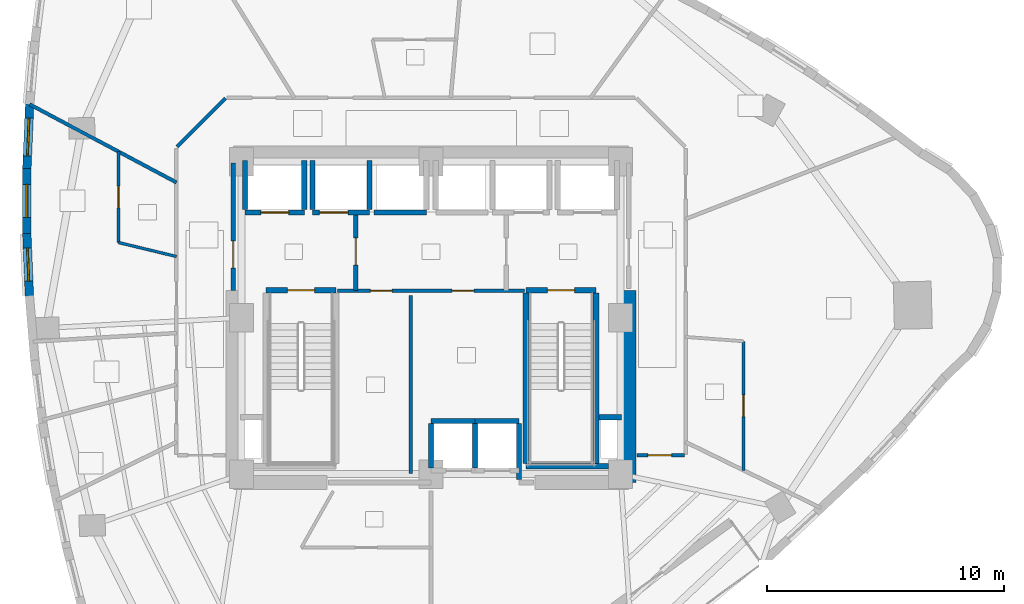
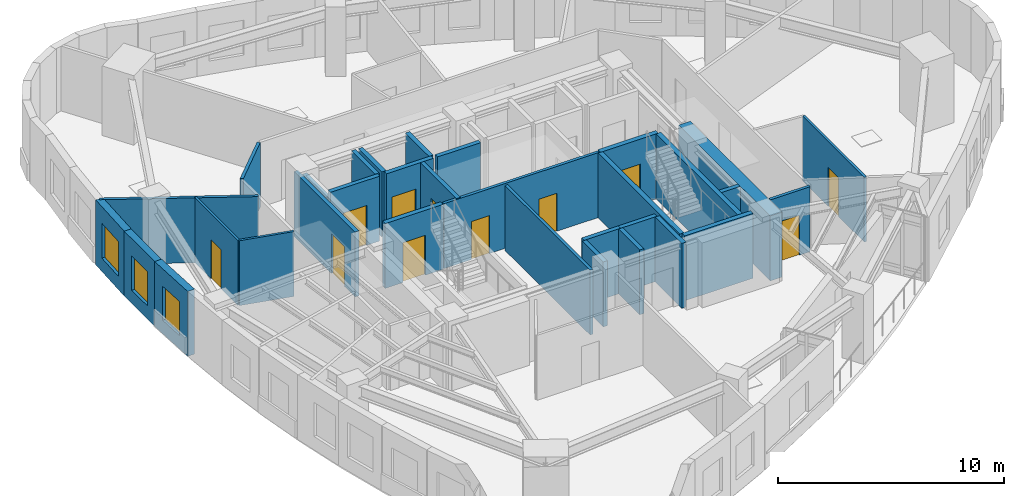
# One storey, part 6 of 11: 32 walls, 11 doors, 3 windows, 14 openings.
"""IFC4 building model written with IfcOpenShell, lengths in metres."""

from ifc_helpers import new_model, si_unit, direction, frame, frame_2d, origin, place, context, subcontext, project, spatial, rectangle, extrude, material, layer, layer_set, type_object, element, fill, save


model = new_model("IFC4")

# Units and contexts
model_context = context("Model", 3, precision=1e-05, world=origin(), true_north=direction((0.0, 1.0)))
body_context = subcontext(model_context, "Body", "Model", "MODEL_VIEW")
ifc_project = project(units=[si_unit("LENGTHUNIT", "METRE"), si_unit("AREAUNIT", "SQUARE_METRE"), si_unit("VOLUMEUNIT", "CUBIC_METRE"), si_unit("PLANEANGLEUNIT", "RADIAN"), si_unit("MASSUNIT", "GRAM", prefix="KILO")], contexts=[model_context])

# Site, building, storey
site_placement = place(None, origin())
site = spatial("IfcSite", under=ifc_project, at=site_placement, CompositionType="ELEMENT")
building_placement = place(site_placement, origin())
building = spatial("IfcBuilding", under=site, at=building_placement, Name="Ndelora Gate Hotel", CompositionType="ELEMENT")
storey_placement = place(building_placement, frame((0.0, 0.0, 146.0)))
storey = spatial("IfcBuildingStorey", under=building, at=storey_placement, Name="L36", CompositionType="ELEMENT", Elevation=146.0)

# Wall, opening, window
ifc_material_1 = material(Name="Clay Brick Masonry", Category="masonry")
ifc_layer_1 = layer(ifc_material_1, 0.360107421875)
ifc_layer_set_1 = layer_set([ifc_layer_1], Name="Clay Brick Masonry")
wall_type_1 = type_object("IfcWallType", Name="WL-BRICK-360", PredefinedType="SOLIDWALL", material=ifc_layer_set_1)
wall_1_placement = place(storey_placement, frame((-17.069580078125, 6.26220703125, 0.0), z_axis=(0.0, 0.0, 1.0), x_axis=(0.043014721574, 0.999074438532, 0.0)))
wall_1 = element("IfcWall", 1, at=wall_1_placement, inside=storey, type_object=wall_type_1, Name="L36 Tower Brick Pier-and-Spandrel Wall TWR-11", PredefinedType="SOLIDWALL", context=body_context, shape_type="SweptSolid", body=[
    extrude(rectangle(XDim=2.75830078125, YDim=0.360107421875, at=frame_2d((1.379150390625, 0.0))), origin(), (0.0, 0.0, 1.0), 3.5),
])
opening_1_placement = place(wall_1_placement, frame((0.5791015625, 0.0, 0.719970703125)))
opening_1 = element("IfcOpeningElement", 2, at=opening_1_placement, cuts=wall_1, Name="Opening W01", PredefinedType="OPENING", context=body_context, shape_type="SweptSolid", body=[
    extrude(rectangle(XDim=1.60009765625, YDim=1.8798828125, at=frame_2d((0.800048828125, 0.93994140625))), frame((0.0, 0.18994140625, 0.0), z_axis=(0.0, -1.0, 0.0), x_axis=(1.0, 0.0, 0.0)), (0.0, 0.0, 1.0), 0.380126953125),
])
ifc_material_2 = material(Name="Insulated Low-E Double Glazing in Bronze Aluminium Frame", Category="aluminium")
window_type_1 = type_object("IfcWindowType", Name="WN-DEEP-1600", PartitioningType="SINGLE_PANEL", PredefinedType="WINDOW", material=ifc_material_2)
window_1_placement = place(opening_1_placement, origin())
window_1 = element("IfcWindow", 3, at=window_1_placement, inside=storey, type_object=window_type_1, Name="L36 Deep-Set Brick-Pier Window W01", OverallHeight=1.8798828125, OverallWidth=1.60009765625, PartitioningType="SINGLE_PANEL", PredefinedType="WINDOW", context=body_context, shape_type="SweptSolid", body=[
    extrude(rectangle(XDim=1.60009765625, YDim=1.8798828125, at=frame_2d((0.800048828125, 0.93994140625))), frame((0.0, 0.030029296875, 0.0), z_axis=(0.0, -1.0, 0.0), x_axis=(1.0, 0.0, 0.0)), (0.0, 0.0, 1.0), 0.06005859375),
])
fill(opening_1, window_1)

wall_2_placement = place(storey_placement, frame((-17.071533203125, 3.568115234375, 0.0), z_axis=(0.0, 0.0, 1.0), x_axis=(0.001156582856, 0.999999331158, 0.0)))
wall_2 = element("IfcWall", 4, at=wall_2_placement, inside=storey, type_object=wall_type_1, Name="L36 Tower Brick Pier-and-Spandrel Wall TWR-12", PredefinedType="SOLIDWALL", context=body_context, shape_type="SweptSolid", body=[
    extrude(rectangle(XDim=2.744140625, YDim=0.360107421875, at=frame_2d((1.3720703125, 0.0))), origin(), (0.0, 0.0, 1.0), 3.5),
])
opening_2_placement = place(wall_2_placement, frame((0.672119140625, 0.0, 0.719970703125)))
opening_2 = element("IfcOpeningElement", 5, at=opening_2_placement, cuts=wall_2, Name="Opening W02", PredefinedType="OPENING", context=body_context, shape_type="SweptSolid", body=[
    extrude(rectangle(XDim=1.39990234375, YDim=1.840087890625, at=frame_2d((0.699951171875, 0.919921875))), frame((0.0, 0.18994140625, 0.0), z_axis=(0.0, -1.0, 0.0), x_axis=(1.0, 0.0, 0.0)), (0.0, 0.0, 1.0), 0.380126953125),
])
window_type_2 = type_object("IfcWindowType", Name="WN-DEEP-1400", PartitioningType="SINGLE_PANEL", PredefinedType="WINDOW", material=ifc_material_2)
window_2_placement = place(opening_2_placement, origin())
window_2 = element("IfcWindow", 6, at=window_2_placement, inside=storey, type_object=window_type_2, Name="L36 Deep-Set Brick-Pier Window W02", OverallHeight=1.840087890625, OverallWidth=1.39990234375, PartitioningType="SINGLE_PANEL", PredefinedType="WINDOW", context=body_context, shape_type="SweptSolid", body=[
    extrude(rectangle(XDim=1.39990234375, YDim=1.840087890625, at=frame_2d((0.699951171875, 0.919921875))), frame((0.0, 0.030029296875, 0.0), z_axis=(0.0, -1.0, 0.0), x_axis=(1.0, 0.0, 0.0)), (0.0, 0.0, 1.0), 0.06005859375),
])
fill(opening_2, window_2)

wall_3_placement = place(storey_placement, frame((-16.96044921875, 0.885986328125, 0.0), z_axis=(0.0, 0.0, 1.0), x_axis=(-0.040980646294, 0.999159940465, 0.0)))
wall_3 = element("IfcWall", 7, at=wall_3_placement, inside=storey, type_object=wall_type_1, Name="L36 Tower Brick Pier-and-Spandrel Wall TWR-13", PredefinedType="SOLIDWALL", context=body_context, shape_type="SweptSolid", body=[
    extrude(rectangle(XDim=2.734375, YDim=0.360107421875, at=frame_2d((1.3671875, 0.0))), origin(), (0.0, 0.0, 1.0), 3.5),
])
opening_3_placement = place(wall_3_placement, frame((0.667236328125, 0.0, 0.719970703125)))
opening_3 = element("IfcOpeningElement", 8, at=opening_3_placement, cuts=wall_3, Name="Opening W02", PredefinedType="OPENING", context=body_context, shape_type="SweptSolid", body=[
    extrude(rectangle(XDim=1.39990234375, YDim=1.840087890625, at=frame_2d((0.699951171875, 0.919921875))), frame((0.0, 0.18994140625, 0.0), z_axis=(0.0, -1.0, 0.0), x_axis=(1.0, 0.0, 0.0)), (0.0, 0.0, 1.0), 0.380126953125),
])
window_3_placement = place(opening_3_placement, origin())
window_3 = element("IfcWindow", 9, at=window_3_placement, inside=storey, type_object=window_type_2, Name="L36 Deep-Set Brick-Pier Window W02", OverallHeight=1.840087890625, OverallWidth=1.39990234375, PartitioningType="SINGLE_PANEL", PredefinedType="WINDOW", context=body_context, shape_type="SweptSolid", body=[
    extrude(rectangle(XDim=1.39990234375, YDim=1.840087890625, at=frame_2d((0.699951171875, 0.919921875))), frame((0.0, 0.030029296875, 0.0), z_axis=(0.0, -1.0, 0.0), x_axis=(1.0, 0.0, 0.0)), (0.0, 0.0, 1.0), 0.06005859375),
])
fill(opening_3, window_3)

# Wall
ifc_material_3 = material(Name="Concrete C60/75", Category="concrete")
ifc_layer_2 = layer(ifc_material_3, 0.60009765625)
ifc_layer_set_2 = layer_set([ifc_layer_2], Name="Concrete C60/75")
wall_type_2 = type_object("IfcWallType", Name="WL-CORE-600", PredefinedType="SHEAR", material=ifc_layer_set_2)
wall_4_placement = place(storey_placement, frame((8.35009765625, -6.949951171875, 0.0), z_axis=(0.0, 0.0, 1.0), x_axis=(0.0, 1.0, 0.0)))
element("IfcWall", 10, at=wall_4_placement, inside=storey, type_object=wall_type_2, Name="L36 Core Shear Wall E", PredefinedType="SHEAR", context=body_context, shape_type="SweptSolid", body=[
    extrude(rectangle(XDim=8.099853515625, YDim=0.60009765625, at=frame_2d((4.0498046875, 0.0))), origin(), (0.0, 0.0, 1.0), 3.5),
])

# Wall, opening, door
ifc_material_4 = material(Name="Concrete C40/50", Category="concrete")
ifc_layer_3 = layer(ifc_material_4, 0.199951171875)
ifc_layer_set_3 = layer_set([ifc_layer_3], Name="Concrete C40/50")
wall_type_3 = type_object("IfcWallType", Name="WL-FIRE-200", PredefinedType="PARTITIONING", material=ifc_layer_set_3)
wall_5_placement = place(storey_placement, frame((-3.179931640625, 1.14990234375, 0.0), z_axis=(0.0, 0.0, 1.0), x_axis=(0.0, 1.0, 0.0)))
wall_5 = element("IfcWall", 11, at=wall_5_placement, inside=storey, type_object=wall_type_3, Name="L36 Interior Wall IW-2", PredefinedType="PARTITIONING", context=body_context, shape_type="SweptSolid", body=[
    extrude(rectangle(XDim=3.300048828125, YDim=0.199951171875, at=frame_2d((1.64990234375, 0.0))), origin(), (0.0, 0.0, 1.0), 3.5),
])
opening_4_placement = place(wall_5_placement, frame((1.080078125, 0.0, 0.0)))
opening_4 = element("IfcOpeningElement", 12, at=opening_4_placement, cuts=wall_5, Name="Opening FD1", PredefinedType="OPENING", context=body_context, shape_type="SweptSolid", body=[
    extrude(rectangle(XDim=1.14990234375, YDim=2.14990234375, at=frame_2d((0.574951171875, 1.074951171875))), frame((0.0, 0.10986328125, 0.0), z_axis=(0.0, -1.0, 0.0), x_axis=(1.0, 0.0, 0.0)), (0.0, 0.0, 1.0), 0.219970703125),
])
ifc_material_5 = material(Name="Fire-Rated Timber-Veneer Steel Core", Category="steel")
door_type_1 = type_object("IfcDoorType", Name="DR-FD60", OperationType="SINGLE_SWING_LEFT", PredefinedType="DOOR", material=ifc_material_5)
door_1_placement = place(opening_4_placement, origin())
door_1 = element("IfcDoor", 13, at=door_1_placement, inside=storey, type_object=door_type_1, Name="L36 Firefighting Lobby West Door", OperationType="SINGLE_SWING_RIGHT", OverallHeight=2.14990234375, OverallWidth=1.14990234375, PredefinedType="DOOR", context=body_context, shape_type="SweptSolid", body=[
    extrude(rectangle(XDim=1.14990234375, YDim=2.14990234375, at=frame_2d((0.574951171875, 1.074951171875))), frame((0.0, 0.02490234375, 0.0), z_axis=(0.0, -1.0, 0.0), x_axis=(1.0, 0.0, 0.0)), (0.0, 0.0, 1.0), 0.050048828125),
])
fill(opening_4, door_1)

wall_6_placement = place(storey_placement, frame((-8.35009765625, 1.14990234375, 0.0), z_axis=(0.0, 0.0, 1.0), x_axis=(0.0, 1.0, 0.0)))
wall_6 = element("IfcWall", 14, at=wall_6_placement, inside=storey, type_object=wall_type_3, Name="L36 Interior Wall IW-2", PredefinedType="PARTITIONING", context=body_context, shape_type="SweptSolid", body=[
    extrude(rectangle(XDim=5.400146484375, YDim=0.199951171875, at=frame_2d((2.7001953125, 0.0))), origin(), (0.0, 0.0, 1.0), 3.5),
])
opening_5_placement = place(wall_6_placement, frame((0.949951171875, 0.0, 0.0)))
opening_5 = element("IfcOpeningElement", 15, at=opening_5_placement, cuts=wall_6, Name="Opening FD1", PredefinedType="OPENING", context=body_context, shape_type="SweptSolid", body=[
    extrude(rectangle(XDim=1.14990234375, YDim=2.14990234375, at=frame_2d((0.574951171875, 1.074951171875))), frame((0.0, 0.10986328125, 0.0), z_axis=(0.0, -1.0, 0.0), x_axis=(1.0, 0.0, 0.0)), (0.0, 0.0, 1.0), 0.219970703125),
])
door_2_placement = place(opening_5_placement, origin())
door_2 = element("IfcDoor", 16, at=door_2_placement, inside=storey, type_object=door_type_1, Name="L36 Firefighting Lobby West Corridor Door", OperationType="SINGLE_SWING_LEFT", OverallHeight=2.14990234375, OverallWidth=1.14990234375, PredefinedType="DOOR", context=body_context, shape_type="SweptSolid", body=[
    extrude(rectangle(XDim=1.14990234375, YDim=2.14990234375, at=frame_2d((0.574951171875, 1.074951171875))), frame((0.0, 0.02490234375, 0.0), z_axis=(0.0, -1.0, 0.0), x_axis=(1.0, 0.0, 0.0)), (0.0, 0.0, 1.0), 0.050048828125),
])
fill(opening_5, door_2)

# Wall, openings, doors
ifc_material_6 = material(Name="Fire-Rated Gypsum Stud Partition", Category="gypsum")
ifc_layer_4 = layer(ifc_material_6, 0.14990234375)
ifc_layer_set_4 = layer_set([ifc_layer_4], Name="Fire-Rated Gypsum Stud Partition")
wall_type_4 = type_object("IfcWallType", Name="WL-PART-150", PredefinedType="PARTITIONING", material=ifc_layer_set_4)
wall_7_placement = place(storey_placement, frame((3.949951171875, 1.14990234375, 0.0), z_axis=(0.0, 0.0, 1.0), x_axis=(-1.0, 0.0, 0.0)))
wall_7 = element("IfcWall", 17, at=wall_7_placement, inside=storey, type_object=wall_type_4, Name="L36 Interior Wall IW-5", PredefinedType="PARTITIONING", context=body_context, shape_type="SweptSolid", body=[
    extrude(rectangle(XDim=7.89990234375, YDim=0.14990234375, at=frame_2d((3.949951171875, 0.0))), origin(), (0.0, 0.0, 1.0), 3.5),
])
opening_6_placement = place(wall_7_placement, frame((5.590087890625, 0.0, 0.0)))
opening_6 = element("IfcOpeningElement", 18, at=opening_6_placement, cuts=wall_7, Name="Opening D04", PredefinedType="OPENING", context=body_context, shape_type="SweptSolid", body=[
    extrude(rectangle(XDim=0.919921875, YDim=2.050048828125, at=frame_2d((0.4599609375, 1.02490234375))), frame((0.0, 0.0849609375, 0.0), z_axis=(0.0, -1.0, 0.0), x_axis=(1.0, 0.0, 0.0)), (0.0, 0.0, 1.0), 0.169921875),
])
opening_7_placement = place(wall_7_placement, frame((2.139892578125, 0.0, 0.0)))
opening_7 = element("IfcOpeningElement", 19, at=opening_7_placement, cuts=wall_7, Name="Opening D04", PredefinedType="OPENING", context=body_context, shape_type="SweptSolid", body=[
    extrude(rectangle(XDim=0.919921875, YDim=2.050048828125, at=frame_2d((0.4599609375, 1.02490234375))), frame((0.0, 0.0849609375, 0.0), z_axis=(0.0, -1.0, 0.0), x_axis=(1.0, 0.0, 0.0)), (0.0, 0.0, 1.0), 0.169921875),
])
ifc_material_7 = material(Name="Painted Steel Core Service Door", Category="steel")
door_type_2 = type_object("IfcDoorType", Name="DR-SER-920", OperationType="SINGLE_SWING_LEFT", PredefinedType="DOOR", material=ifc_material_7)
door_3_placement = place(opening_6_placement, origin())
door_3 = element("IfcDoor", 20, at=door_3_placement, inside=storey, type_object=door_type_2, Name="L36 Core Electrical Switchroom Door", OperationType="SINGLE_SWING_LEFT", OverallHeight=2.050048828125, OverallWidth=0.919921875, PredefinedType="DOOR", context=body_context, shape_type="SweptSolid", body=[
    extrude(rectangle(XDim=0.919921875, YDim=2.050048828125, at=frame_2d((0.4599609375, 1.02490234375))), frame((0.0, 0.02490234375, 0.0), z_axis=(0.0, -1.0, 0.0), x_axis=(1.0, 0.0, 0.0)), (0.0, 0.0, 1.0), 0.050048828125),
])
fill(opening_6, door_3)
door_4_placement = place(opening_7_placement, origin())
door_4 = element("IfcDoor", 21, at=door_4_placement, inside=storey, type_object=door_type_2, Name="L36 Central Linen Equipment Store Door", OperationType="SINGLE_SWING_RIGHT", OverallHeight=2.050048828125, OverallWidth=0.919921875, PredefinedType="DOOR", context=body_context, shape_type="SweptSolid", body=[
    extrude(rectangle(XDim=0.919921875, YDim=2.050048828125, at=frame_2d((0.4599609375, 1.02490234375))), frame((0.0, 0.02490234375, 0.0), z_axis=(0.0, -1.0, 0.0), x_axis=(1.0, 0.0, 0.0)), (0.0, 0.0, 1.0), 0.050048828125),
])
fill(opening_7, door_4)

# Wall
wall_8_placement = place(storey_placement, frame((-0.85009765625, -6.580078125, 0.0), z_axis=(0.0, 0.0, 1.0), x_axis=(0.0, 1.0, 0.0)))
element("IfcWall", 22, at=wall_8_placement, inside=storey, type_object=wall_type_4, Name="L36 Interior Wall IW-5", PredefinedType="PARTITIONING", context=body_context, shape_type="SweptSolid", body=[
    extrude(rectangle(XDim=7.530029296875, YDim=0.14990234375, at=frame_2d((3.76513671875, 0.0))), origin(), (0.0, 0.0, 1.0), 3.5),
])

# Wall, opening, door
wall_9_placement = place(storey_placement, frame((10.7099609375, -5.800048828125, 0.0), z_axis=(0.0, 0.0, 1.0), x_axis=(-1.0, 0.0, 0.0)))
wall_9 = element("IfcWall", 23, at=wall_9_placement, inside=storey, type_object=wall_type_4, Name="L36 Interior Wall IW-5", PredefinedType="PARTITIONING", context=body_context, shape_type="SweptSolid", body=[
    extrude(rectangle(XDim=2.02001953125, YDim=0.14990234375, at=frame_2d((1.010009765625, 0.0))), origin(), (0.0, 0.0, 1.0), 3.5),
])
opening_8_placement = place(wall_9_placement, frame((0.550048828125, 0.0, 0.0)))
opening_8 = element("IfcOpeningElement", 24, at=opening_8_placement, cuts=wall_9, Name="Opening D01", PredefinedType="OPENING", context=body_context, shape_type="SweptSolid", body=[
    extrude(rectangle(XDim=1.0, YDim=2.14990234375, at=frame_2d((0.5, 1.074951171875))), frame((0.0, 0.0849609375, 0.0), z_axis=(0.0, -1.0, 0.0), x_axis=(1.0, 0.0, 0.0)), (0.0, 0.0, 1.0), 0.169921875),
])
ifc_material_8 = material(Name="Acoustic Hardwood Guest Entrance Door", Category="wood")
door_type_3 = type_object("IfcDoorType", Name="DR-COR-1000", OperationType="SINGLE_SWING_LEFT", PredefinedType="DOOR", material=ifc_material_8)
door_5_placement = place(opening_8_placement, origin())
door_5 = element("IfcDoor", 25, at=door_5_placement, inside=storey, type_object=door_type_3, Name="L36 Sky Garden Tea Dining Room Entrance Door", OperationType="SINGLE_SWING_LEFT", OverallHeight=2.14990234375, OverallWidth=1.0, PredefinedType="DOOR", context=body_context, shape_type="SweptSolid", body=[
    extrude(rectangle(XDim=1.0, YDim=2.14990234375, at=frame_2d((0.5, 1.074951171875))), frame((0.0, 0.02490234375, 0.0), z_axis=(0.0, -1.0, 0.0), x_axis=(1.0, 0.0, 0.0)), (0.0, 0.0, 1.0), 0.050048828125),
])
fill(opening_8, door_5)

# Walls
wall_10_placement = place(storey_placement, frame((-10.7216796875, 7.228271484375, 0.0), z_axis=(0.0, 0.0, 1.0), x_axis=(0.707106781187, 0.707106781187, 0.0)))
element("IfcWall", 26, at=wall_10_placement, inside=storey, type_object=wall_type_4, Name="L36 Interior Wall IW-5", PredefinedType="PARTITIONING", context=body_context, shape_type="SweptSolid", body=[
    extrude(rectangle(XDim=2.889892578125, YDim=0.14990234375, at=frame_2d((1.44482421875, 0.0))), origin(), (0.0, 0.0, 1.0), 3.5),
])
wall_11_placement = place(storey_placement, frame((-10.75, 5.718994140625, 0.0), z_axis=(0.0, 0.0, 1.0), x_axis=(-0.882843253565, 0.469667743873, 0.0)))
element("IfcWall", 27, at=wall_11_placement, inside=storey, type_object=wall_type_4, Name="L36 Interior Wall IW-5", PredefinedType="PARTITIONING", context=body_context, shape_type="SweptSolid", body=[
    extrude(rectangle(XDim=7.022705078125, YDim=0.14990234375, at=frame_2d((3.51123046875, 0.0))), origin(), (0.0, 0.0, 1.0), 3.5),
])
ifc_layer_5 = layer(ifc_material_4, 0.219970703125)
ifc_layer_set_5 = layer_set([ifc_layer_5], Name="Concrete C40/50")
wall_type_5 = type_object("IfcWallType", Name="WL-SHAFT-220", PredefinedType="PARTITIONING", material=ifc_layer_set_5)
wall_12_placement = place(storey_placement, frame((7.090087890625, -4.199951171875, 0.0), z_axis=(0.0, 0.0, 1.0), x_axis=(1.0, 0.0, 0.0)))
element("IfcWall", 28, at=wall_12_placement, inside=storey, type_object=wall_type_5, Name="L36 Interior Wall IW-1", PredefinedType="PARTITIONING", context=body_context, shape_type="SweptSolid", body=[
    extrude(rectangle(XDim=0.9599609375, YDim=0.219970703125, at=frame_2d((0.47998046875, 0.0))), origin(), (0.0, 0.0, 1.0), 3.5),
])

# Wall, opening, door
wall_13_placement = place(storey_placement, frame((-7.85009765625, 4.449951171875, 0.0), z_axis=(0.0, 0.0, 1.0), x_axis=(1.0, 0.0, 0.0)))
wall_13 = element("IfcWall", 29, at=wall_13_placement, inside=storey, type_object=wall_type_5, Name="L36 Interior Wall IW-1", PredefinedType="PARTITIONING", context=body_context, shape_type="SweptSolid", body=[
    extrude(rectangle(XDim=2.5, YDim=0.219970703125, at=frame_2d((1.25, 0.0))), origin(), (0.0, 0.0, 1.0), 3.5),
])
opening_9_placement = place(wall_13_placement, frame((0.659912109375, 0.0, 0.0)))
opening_9 = element("IfcOpeningElement", 30, at=opening_9_placement, cuts=wall_13, Name="Opening LD5", PredefinedType="OPENING", context=body_context, shape_type="SweptSolid", body=[
    extrude(rectangle(XDim=1.179931640625, YDim=2.14990234375, at=frame_2d((0.58984375, 1.074951171875))), frame((0.0, 0.1201171875, 0.0), z_axis=(0.0, -1.0, 0.0), x_axis=(1.0, 0.0, 0.0)), (0.0, 0.0, 1.0), 0.239990234375),
])
ifc_material_9 = material(Name="Firefighting Lift Stainless Sliding Landing Door", Category="metal")
door_type_4 = type_object("IfcDoorType", Name="DR-LD5", OperationType="DOUBLE_DOOR_SLIDING", PredefinedType="DOOR", material=ifc_material_9)
door_6_placement = place(opening_9_placement, origin())
door_6 = element("IfcDoor", 31, at=door_6_placement, inside=storey, type_object=door_type_4, Name="L36 Lift Landing Sliding Door FFL1", OperationType="DOUBLE_DOOR_SLIDING", OverallHeight=2.14990234375, OverallWidth=1.179931640625, PredefinedType="DOOR", context=body_context, shape_type="SweptSolid", body=[
    extrude(rectangle(XDim=1.179931640625, YDim=2.14990234375, at=frame_2d((0.58984375, 1.074951171875))), frame((0.0, 0.02490234375, 0.0), z_axis=(0.0, -1.0, 0.0), x_axis=(1.0, 0.0, 0.0)), (0.0, 0.0, 1.0), 0.050048828125),
])
fill(opening_9, door_6)

# Walls
wall_14_placement = place(storey_placement, frame((-7.85009765625, 4.570068359375, 0.0), z_axis=(0.0, 0.0, 1.0), x_axis=(0.0, 1.0, 0.0)))
element("IfcWall", 32, at=wall_14_placement, inside=storey, type_object=wall_type_5, Name="L36 Interior Wall IW-1", PredefinedType="PARTITIONING", context=body_context, shape_type="SweptSolid", body=[
    extrude(rectangle(XDim=2.079833984375, YDim=0.219970703125, at=frame_2d((1.0400390625, 0.0))), origin(), (0.0, 0.0, 1.0), 3.1201171875),
])
wall_15_placement = place(storey_placement, frame((-5.35009765625, 4.570068359375, 0.0), z_axis=(0.0, 0.0, 1.0), x_axis=(0.0, 1.0, 0.0)))
element("IfcWall", 33, at=wall_15_placement, inside=storey, type_object=wall_type_5, Name="L36 Interior Wall IW-1", PredefinedType="PARTITIONING", context=body_context, shape_type="SweptSolid", body=[
    extrude(rectangle(XDim=2.079833984375, YDim=0.219970703125, at=frame_2d((1.0400390625, 0.0))), origin(), (0.0, 0.0, 1.0), 3.5),
])

# Wall, opening, door
wall_16_placement = place(storey_placement, frame((-5.0, 4.449951171875, 0.0), z_axis=(0.0, 0.0, 1.0), x_axis=(1.0, 0.0, 0.0)))
wall_16 = element("IfcWall", 34, at=wall_16_placement, inside=storey, type_object=wall_type_5, Name="L36 Interior Wall IW-1", PredefinedType="PARTITIONING", context=body_context, shape_type="SweptSolid", body=[
    extrude(rectangle(XDim=2.39990234375, YDim=0.219970703125, at=frame_2d((1.199951171875, 0.0))), origin(), (0.0, 0.0, 1.0), 3.5),
])
opening_10_placement = place(wall_16_placement, frame((0.280029296875, 0.0, 0.0)))
opening_10 = element("IfcOpeningElement", 35, at=opening_10_placement, cuts=wall_16, Name="Opening LD6", PredefinedType="OPENING", context=body_context, shape_type="SweptSolid", body=[
    extrude(rectangle(XDim=1.219970703125, YDim=2.14990234375, at=frame_2d((0.60986328125, 1.074951171875))), frame((0.0, 0.1201171875, 0.0), z_axis=(0.0, -1.0, 0.0), x_axis=(1.0, 0.0, 0.0)), (0.0, 0.0, 1.0), 0.239990234375),
])
ifc_material_10 = material(Name="Heavy-Duty Service Lift Sliding Landing Door", Category="wood")
door_type_5 = type_object("IfcDoorType", Name="DR-LD6", OperationType="DOUBLE_DOOR_SLIDING", PredefinedType="DOOR", material=ifc_material_10)
door_7_placement = place(opening_10_placement, origin())
door_7 = element("IfcDoor", 36, at=door_7_placement, inside=storey, type_object=door_type_5, Name="L36 Lift Landing Sliding Door SVL1", OperationType="DOUBLE_DOOR_SLIDING", OverallHeight=2.14990234375, OverallWidth=1.219970703125, PredefinedType="DOOR", context=body_context, shape_type="SweptSolid", body=[
    extrude(rectangle(XDim=1.219970703125, YDim=2.14990234375, at=frame_2d((0.60986328125, 1.074951171875))), frame((0.0, 0.02490234375, 0.0), z_axis=(0.0, -1.0, 0.0), x_axis=(1.0, 0.0, 0.0)), (0.0, 0.0, 1.0), 0.050048828125),
])
fill(opening_10, door_7)

# Walls
for number, where, z_axis, x_axis, name in (
    (37, (-5.0, 4.570068359375, 0.0), (0.0, 0.0, 1.0), (0.0, 1.0, 0.0), "L36 Interior Wall IW-1"),
    (38, (-2.60009765625, 4.570068359375, 0.0), (0.0, 0.0, 1.0), (0.0, 1.0, 0.0), "L36 Interior Wall IW-1"),
):
    element("IfcWall", number, at=place(storey_placement, frame(where, z_axis=z_axis, x_axis=x_axis)), inside=storey, type_object=wall_type_5, Name=name, PredefinedType="PARTITIONING", context=body_context, shape_type="SweptSolid", body=[
        extrude(rectangle(XDim=2.079833984375, YDim=0.219970703125, at=frame_2d((1.0400390625, 0.0))), origin(), (0.0, 0.0, 1.0), 3.5),
    ])
for number, where, z_axis, x_axis, name in (
    (39, (0.0, -4.35009765625, 0.0), (0.0, 0.0, 1.0), (1.0, 0.0, 0.0), "L36 Interior Wall IW-1"),
    (40, (0.0, -6.330078125, 0.0), (0.0, 0.0, 1.0), (0.0, 1.0, 0.0), "L36 Interior Wall IW-1"),
    (41, (1.860107421875, -6.330078125, 0.0), (0.0, 0.0, 1.0), (0.0, 1.0, 0.0), "L36 Interior Wall IW-1"),
):
    element("IfcWall", number, at=place(storey_placement, frame(where, z_axis=z_axis, x_axis=x_axis)), inside=storey, type_object=wall_type_5, Name=name, PredefinedType="PARTITIONING", context=body_context, shape_type="SweptSolid", body=[
        extrude(rectangle(XDim=1.860107421875, YDim=0.219970703125, at=frame_2d((0.93017578125, 0.0))), origin(), (0.0, 0.0, 1.0), 3.5),
    ])
wall_17_placement = place(storey_placement, frame((1.860107421875, -4.35009765625, 0.0), z_axis=(0.0, 0.0, 1.0), x_axis=(1.0, 0.0, 0.0)))
element("IfcWall", 42, at=wall_17_placement, inside=storey, type_object=wall_type_5, Name="L36 Interior Wall IW-1", PredefinedType="PARTITIONING", context=body_context, shape_type="SweptSolid", body=[
    extrude(rectangle(XDim=1.85986328125, YDim=0.219970703125, at=frame_2d((0.929931640625, 0.0))), origin(), (0.0, 0.0, 1.0), 3.5),
])
wall_18_placement = place(storey_placement, frame((3.719970703125, -6.830078125, 0.0), z_axis=(0.0, 0.0, 1.0), x_axis=(0.0, 1.0, 0.0)))
element("IfcWall", 43, at=wall_18_placement, inside=storey, type_object=wall_type_5, Name="L36 Interior Wall IW-1", PredefinedType="PARTITIONING", context=body_context, shape_type="SweptSolid", body=[
    extrude(rectangle(XDim=2.360107421875, YDim=0.219970703125, at=frame_2d((1.18017578125, 0.0))), origin(), (0.0, 0.0, 1.0), 3.5),
])
wall_19_placement = place(storey_placement, frame((-2.39990234375, 4.449951171875, 0.0), z_axis=(0.0, 0.0, 1.0), x_axis=(1.0, 0.0, 0.0)))
element("IfcWall", 44, at=wall_19_placement, inside=storey, type_object=wall_type_5, Name="L36 Interior Wall IW-1", PredefinedType="PARTITIONING", context=body_context, shape_type="SweptSolid", body=[
    extrude(rectangle(XDim=2.199951171875, YDim=0.219970703125, at=frame_2d((1.10009765625, 0.0))), origin(), (0.0, 0.0, 1.0), 3.5),
])

# Wall, opening, door
ifc_material_11 = material(Name="Concrete C50/60", Category="concrete")
ifc_layer_6 = layer(ifc_material_11, 0.239990234375)
ifc_layer_set_6 = layer_set([ifc_layer_6], Name="Concrete C50/60")
wall_type_6 = type_object("IfcWallType", Name="WL-STAIR-240", PredefinedType="SHEAR", material=ifc_layer_set_6)
wall_20_placement = place(storey_placement, frame((-6.969970703125, 1.169921875, 0.0), z_axis=(0.0, 0.0, 1.0), x_axis=(1.0, 0.0, 0.0)))
wall_20 = element("IfcWall", 45, at=wall_20_placement, inside=storey, type_object=wall_type_6, Name="L36 Stair Core Shear Wall SW-ST", PredefinedType="SHEAR", context=body_context, shape_type="SweptSolid", body=[
    extrude(rectangle(XDim=2.9599609375, YDim=0.239990234375, at=frame_2d((1.47998046875, 0.0))), origin(), (0.0, 0.0, 1.0), 3.5),
])
opening_11_placement = place(wall_20_placement, frame((0.89990234375, 0.0, 0.0)))
opening_11 = element("IfcOpeningElement", 46, at=opening_11_placement, cuts=wall_20, Name="Opening FD1", PredefinedType="OPENING", context=body_context, shape_type="SweptSolid", body=[
    extrude(rectangle(XDim=1.14990234375, YDim=2.14990234375, at=frame_2d((0.574951171875, 1.074951171875))), frame((0.0, 0.1298828125, 0.0), z_axis=(0.0, -1.0, 0.0), x_axis=(1.0, 0.0, 0.0)), (0.0, 0.0, 1.0), 0.260009765625),
])
door_8_placement = place(opening_11_placement, origin())
door_8 = element("IfcDoor", 47, at=door_8_placement, inside=storey, type_object=door_type_1, Name="L36 Exit Stair ST4 Door", OperationType="SINGLE_SWING_LEFT", OverallHeight=2.14990234375, OverallWidth=1.14990234375, PredefinedType="DOOR", context=body_context, shape_type="SweptSolid", body=[
    extrude(rectangle(XDim=1.14990234375, YDim=2.14990234375, at=frame_2d((0.574951171875, 1.074951171875))), frame((0.0, 0.02490234375, 0.0), z_axis=(0.0, -1.0, 0.0), x_axis=(1.0, 0.0, 0.0)), (0.0, 0.0, 1.0), 0.050048828125),
])
fill(opening_11, door_8)

# Walls
for number, where, z_axis, x_axis, name in (
    (48, (4.010009765625, -6.159912109375, 0.0), (0.0, 0.0, 1.0), (0.0, 1.0, 0.0), "L36 Stair Core Shear Wall SW-ST"),
    (49, (6.969970703125, -6.159912109375, 0.0), (0.0, 0.0, 1.0), (0.0, 1.0, 0.0), "L36 Stair Core Shear Wall SW-ST"),
):
    element("IfcWall", number, at=place(storey_placement, frame(where, z_axis=z_axis, x_axis=x_axis)), inside=storey, type_object=wall_type_6, Name=name, PredefinedType="SHEAR", context=body_context, shape_type="SweptSolid", body=[
        extrude(rectangle(XDim=7.219970703125, YDim=0.239990234375, at=frame_2d((3.60986328125, 0.0))), origin(), (0.0, 0.0, 1.0), 3.5),
    ])
wall_21_placement = place(storey_placement, frame((4.010009765625, -6.27001953125, 0.0), z_axis=(0.0, 0.0, 1.0), x_axis=(1.0, 0.0, 0.0)))
element("IfcWall", 50, at=wall_21_placement, inside=storey, type_object=wall_type_6, Name="L36 Stair Core Shear Wall SW-ST", PredefinedType="SHEAR", context=body_context, shape_type="SweptSolid", body=[
    extrude(rectangle(XDim=3.489990234375, YDim=0.239990234375, at=frame_2d((1.7451171875, 0.0))), origin(), (0.0, 0.0, 1.0), 3.5),
])

# Wall, opening, door
wall_22_placement = place(storey_placement, frame((4.010009765625, 1.169921875, 0.0), z_axis=(0.0, 0.0, 1.0), x_axis=(1.0, 0.0, 0.0)))
wall_22 = element("IfcWall", 51, at=wall_22_placement, inside=storey, type_object=wall_type_6, Name="L36 Stair Core Shear Wall SW-ST", PredefinedType="SHEAR", context=body_context, shape_type="SweptSolid", body=[
    extrude(rectangle(XDim=2.9599609375, YDim=0.239990234375, at=frame_2d((1.47998046875, 0.0))), origin(), (0.0, 0.0, 1.0), 3.5),
])
opening_12_placement = place(wall_22_placement, frame((0.89990234375, 0.0, 0.0)))
opening_12 = element("IfcOpeningElement", 52, at=opening_12_placement, cuts=wall_22, Name="Opening FD1", PredefinedType="OPENING", context=body_context, shape_type="SweptSolid", body=[
    extrude(rectangle(XDim=1.14990234375, YDim=2.14990234375, at=frame_2d((0.574951171875, 1.074951171875))), frame((0.0, 0.1298828125, 0.0), z_axis=(0.0, -1.0, 0.0), x_axis=(1.0, 0.0, 0.0)), (0.0, 0.0, 1.0), 0.260009765625),
])
door_9_placement = place(opening_12_placement, origin())
door_9 = element("IfcDoor", 53, at=door_9_placement, inside=storey, type_object=door_type_1, Name="L36 Exit Stair ST5 Door", OperationType="SINGLE_SWING_RIGHT", OverallHeight=2.14990234375, OverallWidth=1.14990234375, PredefinedType="DOOR", context=body_context, shape_type="SweptSolid", body=[
    extrude(rectangle(XDim=1.14990234375, YDim=2.14990234375, at=frame_2d((0.574951171875, 1.074951171875))), frame((0.0, 0.02490234375, 0.0), z_axis=(0.0, -1.0, 0.0), x_axis=(1.0, 0.0, 0.0)), (0.0, 0.0, 1.0), 0.050048828125),
])
fill(opening_12, door_9)

ifc_material_12 = material(Name="Moisture-Resistant Bathroom Tile Partition", Category="gypsum")
ifc_layer_7 = layer(ifc_material_12, 0.1201171875)
ifc_layer_set_7 = layer_set([ifc_layer_7], Name="Moisture-Resistant Bathroom Tile Partition")
wall_type_7 = type_object("IfcWallType", Name="WL-WET-120", PredefinedType="PARTITIONING", material=ifc_layer_set_7)
wall_23_placement = place(storey_placement, frame((13.199951171875, -0.987548828125, 0.0), z_axis=(0.0, 0.0, 1.0), x_axis=(0.0, -1.0, 0.0)))
wall_23 = element("IfcWall", 54, at=wall_23_placement, inside=storey, type_object=wall_type_7, Name="L36 Interior Wall IW-7", PredefinedType="PARTITIONING", context=body_context, shape_type="SweptSolid", body=[
    extrude(rectangle(XDim=5.450439453125, YDim=0.1201171875, at=frame_2d((2.72509765625, 0.0))), origin(), (0.0, 0.0, 1.0), 3.5),
])
opening_13_placement = place(wall_23_placement, frame((2.265380859375, 0.0, 0.0)))
opening_13 = element("IfcOpeningElement", 55, at=opening_13_placement, cuts=wall_23, Name="Opening D03", PredefinedType="OPENING", context=body_context, shape_type="SweptSolid", body=[
    extrude(rectangle(XDim=0.919921875, YDim=2.10009765625, at=frame_2d((0.4599609375, 1.050048828125))), frame((0.0, 0.070068359375, 0.0), z_axis=(0.0, -1.0, 0.0), x_axis=(1.0, 0.0, 0.0)), (0.0, 0.0, 1.0), 0.14013671875),
])
ifc_material_13 = material(Name="Moisture-Resistant Hardwood En-Suite Door", Category="wood")
door_type_6 = type_object("IfcDoorType", Name="DR-BATH-920", OperationType="SINGLE_SWING_LEFT", PredefinedType="DOOR", material=ifc_material_13)
door_10_placement = place(opening_13_placement, origin())
door_10 = element("IfcDoor", 56, at=door_10_placement, inside=storey, type_object=door_type_6, Name="L36 En-suite Bathroom 3902 Door", OperationType="SINGLE_SWING_LEFT", OverallHeight=2.10009765625, OverallWidth=0.919921875, PredefinedType="DOOR", context=body_context, shape_type="SweptSolid", body=[
    extrude(rectangle(XDim=0.919921875, YDim=2.10009765625, at=frame_2d((0.4599609375, 1.050048828125))), frame((0.0, 0.02490234375, 0.0), z_axis=(0.0, -1.0, 0.0), x_axis=(1.0, 0.0, 0.0)), (0.0, 0.0, 1.0), 0.050048828125),
])
fill(opening_13, door_10)

# Wall
wall_24_placement = place(storey_placement, frame((-10.75, 2.591796875, 0.0), z_axis=(0.0, 0.0, 1.0), x_axis=(-0.972131712449, 0.234435350685, 0.0)))
element("IfcWall", 57, at=wall_24_placement, inside=storey, type_object=wall_type_7, Name="L36 Interior Wall IW-7", PredefinedType="PARTITIONING", context=body_context, shape_type="SweptSolid", body=[
    extrude(rectangle(XDim=2.520263671875, YDim=0.1201171875, at=frame_2d((1.26025390625, 0.0))), origin(), (0.0, 0.0, 1.0), 3.5),
])

# Wall, opening, door
wall_25_placement = place(storey_placement, frame((-13.199951171875, 3.1826171875, 0.0), z_axis=(0.0, 0.0, 1.0), x_axis=(0.0, 1.0, 0.0)))
wall_25 = element("IfcWall", 58, at=wall_25_placement, inside=storey, type_object=wall_type_7, Name="L36 Interior Wall IW-7", PredefinedType="PARTITIONING", context=body_context, shape_type="SweptSolid", body=[
    extrude(rectangle(XDim=3.83984375, YDim=0.1201171875, at=frame_2d((1.919921875, 0.0))), origin(), (0.0, 0.0, 1.0), 3.5),
])
opening_14_placement = place(wall_25_placement, frame((1.4599609375, 0.0, 0.0)))
opening_14 = element("IfcOpeningElement", 59, at=opening_14_placement, cuts=wall_25, Name="Opening D03", PredefinedType="OPENING", context=body_context, shape_type="SweptSolid", body=[
    extrude(rectangle(XDim=0.919921875, YDim=2.10009765625, at=frame_2d((0.4599609375, 1.050048828125))), frame((0.0, 0.070068359375, 0.0), z_axis=(0.0, -1.0, 0.0), x_axis=(1.0, 0.0, 0.0)), (0.0, 0.0, 1.0), 0.14013671875),
])
door_11_placement = place(opening_14_placement, origin())
door_11 = element("IfcDoor", 60, at=door_11_placement, inside=storey, type_object=door_type_6, Name="L36 En-suite Bathroom 3904 Door", OperationType="SINGLE_SWING_LEFT", OverallHeight=2.10009765625, OverallWidth=0.919921875, PredefinedType="DOOR", context=body_context, shape_type="SweptSolid", body=[
    extrude(rectangle(XDim=0.919921875, YDim=2.10009765625, at=frame_2d((0.4599609375, 1.050048828125))), frame((0.0, 0.02490234375, 0.0), z_axis=(0.0, -1.0, 0.0), x_axis=(1.0, 0.0, 0.0)), (0.0, 0.0, 1.0), 0.050048828125),
])
fill(opening_14, door_11)

save(model, "model.ifc")
